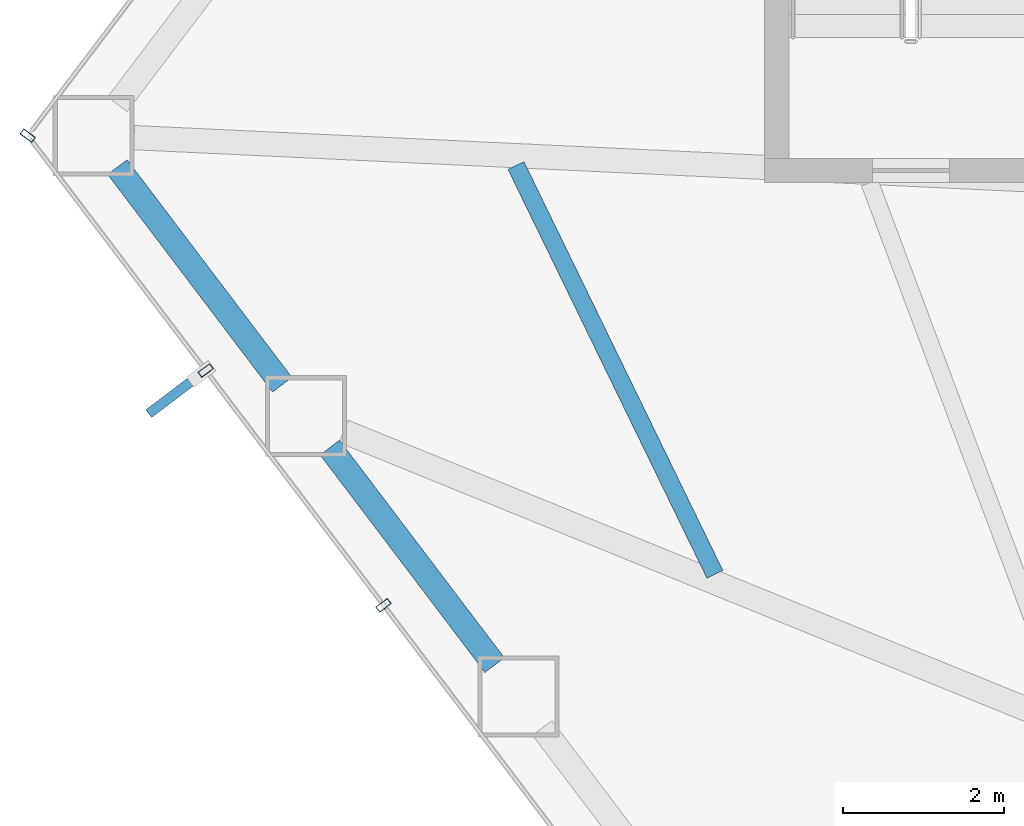
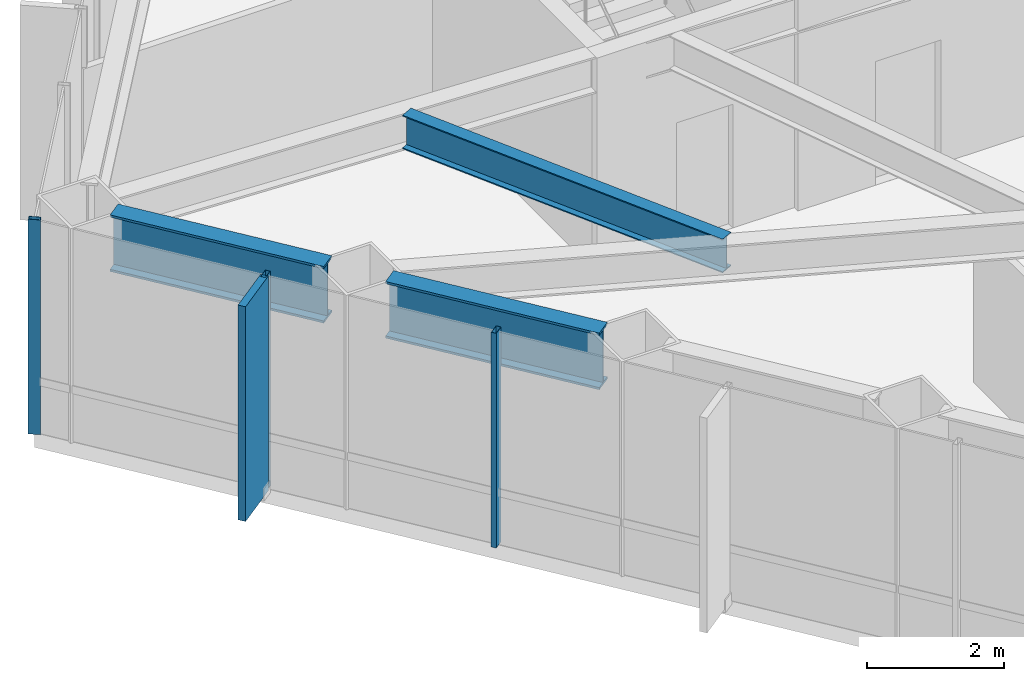
# One storey, part 3 of 26: 4 members, 3 beams, 2 elements without a shape of their own.
"""IFC4 building model written with IfcOpenShell, lengths in metres."""

from ifc_helpers import new_model, si_unit, direction, frame, origin, origin_2d, place, context, subcontext, project, spatial, rectangle, hollow_rectangle, i_section, extrude, material, layer, layer_set, material_profile, profile_set, type_object, element, aggregate, save


model = new_model("IFC4")

# Units and contexts
model_context = context("Model", 3, precision=1e-05, world=origin(), true_north=direction((0.0, 1.0)))
body_context = subcontext(model_context, "Body", "Model", "MODEL_VIEW")
ifc_project = project(units=[si_unit("LENGTHUNIT", "METRE"), si_unit("AREAUNIT", "SQUARE_METRE"), si_unit("VOLUMEUNIT", "CUBIC_METRE"), si_unit("PLANEANGLEUNIT", "RADIAN"), si_unit("MASSUNIT", "GRAM", prefix="KILO")], contexts=[model_context])

# Site, building, storey
site_placement = place(None, origin())
site = spatial("IfcSite", under=ifc_project, at=site_placement, CompositionType="ELEMENT")
building_placement = place(site_placement, origin())
building = spatial("IfcBuilding", under=site, at=building_placement, Name="Zarrinselat Tower", CompositionType="ELEMENT")
storey_placement = place(building_placement, frame((0.0, 0.0, 31.6201171875)))
storey = spatial("IfcBuildingStorey", under=building, at=storey_placement, Name="L07", CompositionType="ELEMENT", Elevation=31.6201171875)

# Beams
ifc_material_1 = material(Name="Steel S460M", Category="steel")
ifc_material_profile_1 = material_profile(ifc_material_1, i_section(OverallWidth=0.302001953125, OverallDepth=1.008056640625, WebThickness=0.02099609375, FlangeThickness=0.0400390625, at=origin_2d()), Name="HEM 1000")
ifc_profile_set_1 = profile_set([ifc_material_profile_1], Name="Steel S460M")
beam_type_1 = type_object("IfcBeamType", Name="BM-HEM1000", PredefinedType="BEAM", material=ifc_profile_set_1)
beam_1_placement = place(storey_placement, frame((17.06298828125, 33.342529296875, 3.31591796875), z_axis=(0.603852126588, -0.797096361311, 0.0), x_axis=(0.797096361311, 0.603852126588, 0.0)))
element("IfcBeam", 1, at=beam_1_placement, inside=storey, type_object=beam_type_1, Name="L07 Perimeter Spandrel Girder SP06", PredefinedType="BEAM", context=body_context, shape_type="SweptSolid", body=[
    extrude(i_section(OverallWidth=0.302001953125, OverallDepth=1.008056640625, WebThickness=0.02099609375, FlangeThickness=0.0400390625, at=origin_2d()), origin(), (0.0, 0.0, 1.0), 3.380859375),
])
beam_2_placement = place(storey_placement, frame((19.69384765625, 29.86962890625, 3.31591796875), z_axis=(0.603806241613, -0.797131120073, 0.0), x_axis=(0.797131120073, 0.603806241613, 0.0)))
element("IfcBeam", 2, at=beam_2_placement, inside=storey, type_object=beam_type_1, Name="L07 Perimeter Spandrel Girder SP07", PredefinedType="BEAM", context=body_context, shape_type="SweptSolid", body=[
    extrude(i_section(OverallWidth=0.302001953125, OverallDepth=1.008056640625, WebThickness=0.02099609375, FlangeThickness=0.0400390625, at=origin_2d()), origin(), (0.0, 0.0, 1.0), 3.380615234375),
])
ifc_material_2 = material(Name="Steel S355J2", Category="steel")
ifc_material_profile_2 = material_profile(ifc_material_2, i_section(OverallWidth=0.219970703125, OverallDepth=0.60009765625, WebThickness=0.011962890625, FlangeThickness=0.01904296875, at=origin_2d()), Name="IPE 600")
ifc_profile_set_2 = profile_set([ifc_material_profile_2], Name="Steel S355J2")
beam_type_2 = type_object("IfcBeamType", Name="BM-IPE600", PredefinedType="JOIST", material=ifc_profile_set_2)
beam_3_placement = place(storey_placement, frame((21.999267578125, 33.36181640625, 3.519775390625), z_axis=(0.437542489086, -0.899197737011, 0.0), x_axis=(0.899197737011, 0.437542489086, 0.0)))
element("IfcBeam", 3, at=beam_3_placement, inside=storey, type_object=beam_type_2, Name="L07 Composite Floor Joist 1-1", PredefinedType="JOIST", context=body_context, shape_type="SweptSolid", body=[
    extrude(i_section(OverallWidth=0.219970703125, OverallDepth=0.60009765625, WebThickness=0.011962890625, FlangeThickness=0.01904296875, at=origin_2d()), origin(), (0.0, 0.0, 1.0), 5.62939453125),
])

# Curtain wall, member
ifc_material_3 = material(Name="Extruded Aluminium Alloy EN AW-6063 T6", Category="aluminium")
ifc_layer = layer(ifc_material_3, 0.18505859375)
ifc_layer_set = layer_set([ifc_layer], Name="Extruded Aluminium Alloy EN AW-6063 T6")
curtain_wall_type = type_object("IfcCurtainWallType", Name="CWS-OFF", PredefinedType="NOTDEFINED", material=ifc_layer_set)
curtain_wall_1_placement = place(storey_placement, origin())
curtain_wall_1 = element("IfcCurtainWall", 4, at=curtain_wall_1_placement, inside=storey, type_object=curtain_wall_type, Name="L07 Unitised Curtain Wall CW-L07-E02", PredefinedType="NOTDEFINED")
ifc_material_4 = material(Name="Extruded Aluminium Alloy EN AW-6063 T6", Category="aluminium")
ifc_material_profile_3 = material_profile(ifc_material_4, hollow_rectangle(XDim=0.080078125, YDim=0.179931640625, WallThickness=0.0048828125, at=origin_2d()), Name="RHS 180x80x5")
ifc_profile_set_3 = profile_set([ifc_material_profile_3], Name="Extruded Aluminium Alloy EN AW-6063 T6")
member_type_1 = type_object("IfcMemberType", Name="MEM-CW-MUL", PredefinedType="MULLION", material=ifc_profile_set_3)
member_1_placement = place(storey_placement, frame((15.95263671875, 33.7314453125, 0.0), z_axis=(0.0, 0.0, 1.0), x_axis=(-0.603858715485, -0.797091369752, 0.0)))
member_1 = element("IfcMember", 5, at=member_1_placement, type_object=member_type_1, Name="CW-L07-E02 Mullion 9", PredefinedType="MULLION", context=body_context, shape_type="SweptSolid", body=[
    extrude(hollow_rectangle(XDim=0.080078125, YDim=0.179931640625, WallThickness=0.0048828125, at=origin_2d()), origin(), (0.0, 0.0, 1.0), 3.81982421875),
])
aggregate(curtain_wall_1, [member_1])

# Curtain wall, members
curtain_wall_2_placement = place(storey_placement, origin())
curtain_wall_2 = element("IfcCurtainWall", 6, at=curtain_wall_2_placement, inside=storey, type_object=curtain_wall_type, Name="L07 Unitised Curtain Wall CW-L07-E03", PredefinedType="NOTDEFINED")
member_2_placement = place(storey_placement, frame((18.156005859375, 30.8232421875, 0.0), z_axis=(0.0, 0.0, 1.0), x_axis=(0.603858215687, -0.797091748388, 0.0)))
member_2 = element("IfcMember", 7, at=member_2_placement, type_object=member_type_1, Name="CW-L07-E03 Mullion 1", PredefinedType="MULLION", context=body_context, shape_type="SweptSolid", body=[
    extrude(hollow_rectangle(XDim=0.080078125, YDim=0.179931640625, WallThickness=0.0048828125, at=origin_2d()), origin(), (0.0, 0.0, 1.0), 3.81982421875),
])
member_3_placement = place(storey_placement, frame((20.359130859375, 27.9150390625, 0.0), z_axis=(0.0, 0.0, 1.0), x_axis=(0.603858215687, -0.797091748388, 0.0)))
member_3 = element("IfcMember", 8, at=member_3_placement, type_object=member_type_1, Name="CW-L07-E03 Mullion 2", PredefinedType="MULLION", context=body_context, shape_type="SweptSolid", body=[
    extrude(hollow_rectangle(XDim=0.080078125, YDim=0.179931640625, WallThickness=0.0048828125, at=origin_2d()), origin(), (0.0, 0.0, 1.0), 3.81982421875),
])
ifc_material_5 = material(Name="Honed Cream Travertine Stone", Category="masonry")
ifc_material_profile_4 = material_profile(ifc_material_5, rectangle(XDim=0.1201171875, YDim=0.85009765625, at=origin_2d()), Name="FIN 850x120")
ifc_profile_set_4 = profile_set([ifc_material_profile_4], Name="Honed Cream Travertine Stone")
member_type_2 = type_object("IfcMemberType", Name="MEM-STONE-FIN", PredefinedType="USERDEFINED", material=ifc_profile_set_4)
member_4_placement = place(storey_placement, frame((17.789306640625, 30.54541015625, 0.0), z_axis=(0.0, 0.0, 1.0), x_axis=(-0.603858215687, 0.797091748388, 0.0)))
member_4 = element("IfcMember", 9, at=member_4_placement, type_object=member_type_2, Name="L07 Stone Shading Fin CW-L07-E03-01", ObjectType="FIN", PredefinedType="USERDEFINED", context=body_context, shape_type="SweptSolid", body=[
    extrude(rectangle(XDim=0.1201171875, YDim=0.85009765625, at=origin_2d()), origin(), (0.0, 0.0, 1.0), 3.81982421875),
])
aggregate(curtain_wall_2, [member_2, member_4, member_3])

save(model, "model.ifc")
